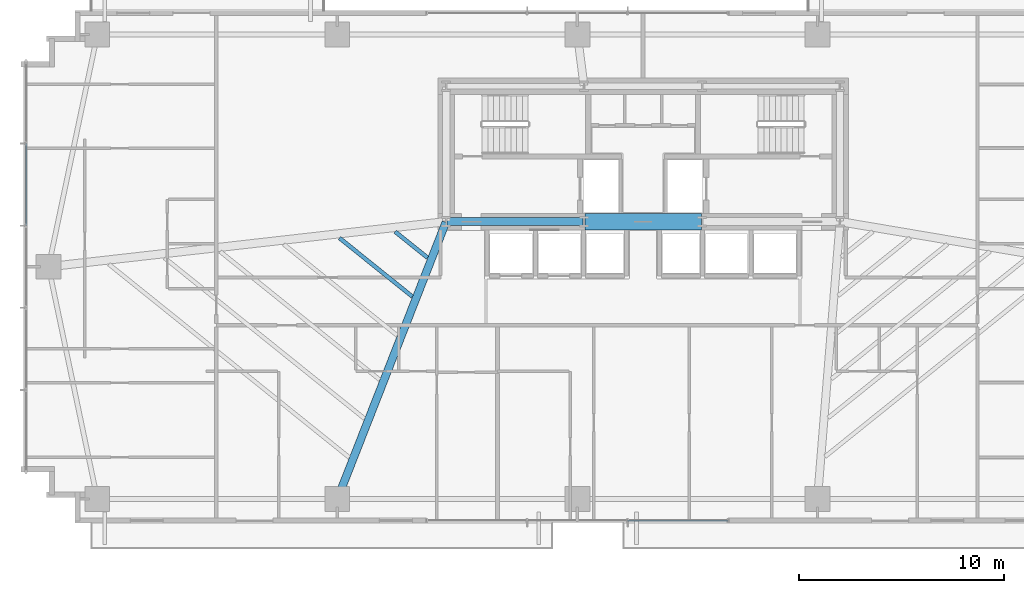
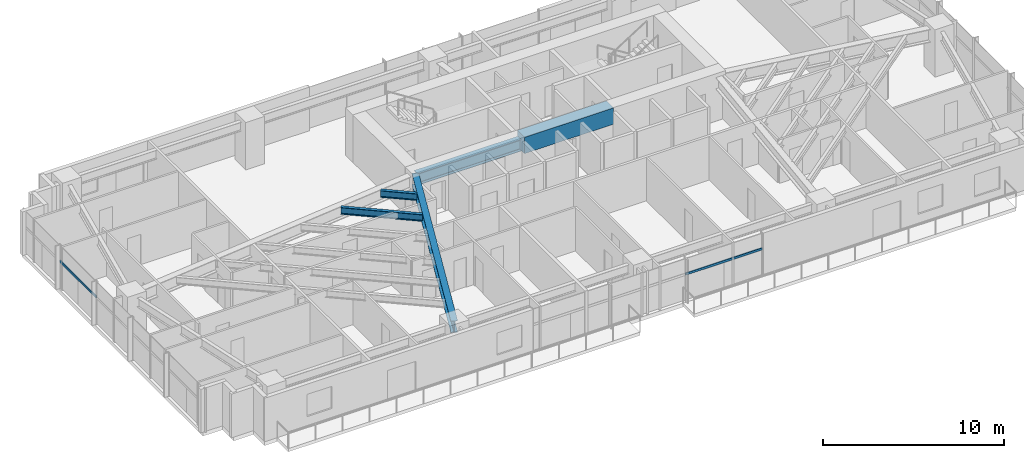
# One storey, part 7 of 25: 5 beams, 2 members, 2 elements without a shape of their own.
"""IFC4 building model written with IfcOpenShell, lengths in metres."""

from ifc_helpers import new_model, si_unit, direction, frame, origin, origin_2d, place, context, subcontext, project, spatial, rectangle, hollow_rectangle, i_section, extrude, source, transform, mapped, material, material_profile, profile_set, type_object, type_shapes, element, aggregate, save


model = new_model("IFC4")

# Units and contexts
model_context = context("Model", 3, precision=1e-05, world=origin(), true_north=direction((0.0, 1.0)))
body_context = subcontext(model_context, "Body", "Model", "MODEL_VIEW")
ifc_project = project(units=[si_unit("LENGTHUNIT", "METRE"), si_unit("AREAUNIT", "SQUARE_METRE"), si_unit("VOLUMEUNIT", "CUBIC_METRE"), si_unit("PLANEANGLEUNIT", "RADIAN"), si_unit("MASSUNIT", "GRAM", prefix="KILO")], contexts=[model_context])

# Site, building, storey
site_placement = place(None, origin())
site = spatial("IfcSite", under=ifc_project, at=site_placement, CompositionType="ELEMENT")
building_placement = place(site_placement, origin())
building = spatial("IfcBuilding", under=site, at=building_placement, Name="Astriad Promenade Condominiums", CompositionType="ELEMENT")
storey_placement = place(building_placement, frame((0.0, 0.0, 29.39990234375)))
storey = spatial("IfcBuildingStorey", under=building, at=storey_placement, Name="L07", CompositionType="ELEMENT", Elevation=29.39990234375)

# Beams
ifc_material_1 = material(Name="Steel ASTM A992 Grade 50", Category="steel")
ifc_material_profile_1 = material_profile(ifc_material_1, i_section(OverallWidth=0.3837890625, OverallDepth=0.785888671875, WebThickness=0.019775390625, FlangeThickness=0.033447265625, FilletRadius=0.021484375, at=origin_2d()), Name="W30X211")
ifc_profile_set_1 = profile_set([ifc_material_profile_1], Name="Steel ASTM A992 Grade 50")
beam_type_1 = type_object("IfcBeamType", Name="STEEL FLOOR GIRDER W30X211", PredefinedType="BEAM", material=ifc_profile_set_1)
shared_shape_1 = source(origin(), body_context, "Body", "SweptSolid", [
    extrude(i_section(OverallWidth=0.3837890625, OverallDepth=0.785888671875, WebThickness=0.019775390625, FlangeThickness=0.033447265625, FilletRadius=0.021484375, at=origin_2d()), origin(), (0.0, 0.0, 1.0), 6.64013671875),
])
beam_1_placement = place(storey_placement, frame((26.43994140625, 17.39990234375, 2.547119140625), z_axis=(1.0, 0.0, 0.0), x_axis=(0.0, 1.0, 0.0)))
element("IfcBeam", 1, at=beam_1_placement, inside=storey, type_object=beam_type_1, Name="Core Ring Beam CG-S1-L07", PredefinedType="BEAM", context=body_context, shape_type="MappedRepresentation", body=[
    mapped(shared_shape_1, transform((0.0, 0.0, 0.0), scale=1.0)),
])
ifc_material_2 = material(Name="Concrete C80/95", Category="concrete")
ifc_material_profile_2 = material_profile(ifc_material_2, rectangle(XDim=0.800048828125, YDim=1.10009765625, at=origin_2d()), Name="RC-BM-800X1100")
ifc_profile_set_2 = profile_set([ifc_material_profile_2], Name="Concrete C80/95")
beam_type_2 = type_object("IfcBeamType", Name="CONCRETE CORE COUPLING LINTEL 800X1100", PredefinedType="LINTEL", material=ifc_profile_set_2)
shared_shape_2 = source(origin(), body_context, "Body", "SweptSolid", [
    extrude(rectangle(XDim=0.800048828125, YDim=1.10009765625, at=origin_2d()), origin(), (0.0, 0.0, 1.0), 5.68017578125),
])
type_shapes(beam_type_2, [shared_shape_2])
beam_2_placement = place(storey_placement, frame((33.159912109375, 17.39990234375, 2.630126953125), z_axis=(1.0, 0.0, 0.0), x_axis=(0.0, 1.0, 0.0)))
element("IfcBeam", 2, at=beam_2_placement, inside=storey, type_object=beam_type_2, Name="Core Ring Beam CG-S2-L07", PredefinedType="LINTEL", context=body_context, shape_type="MappedRepresentation", body=[
    mapped(shared_shape_2, transform((0.0, 0.0, 0.0), scale=1.0)),
])
shared_shape_3 = source(origin(), body_context, "Body", "SweptSolid", [
    extrude(i_section(OverallWidth=0.3837890625, OverallDepth=0.785888671875, WebThickness=0.019775390625, FlangeThickness=0.033447265625, FilletRadius=0.021484375, at=origin_2d()), origin(), (0.0, 0.0, 1.0), 14.44189453125),
])
type_shapes(beam_type_1, [shared_shape_1, shared_shape_3])
beam_3_placement = place(storey_placement, frame((21.114501953125, 3.917236328125, 2.547119140625), z_axis=(0.364981228757, 0.931014877784, 0.0), x_axis=(-0.931014877784, 0.364981228757, 0.0)))
element("IfcBeam", 3, at=beam_3_placement, inside=storey, type_object=beam_type_1, Name="Primary Floor Girder PG-W2-L07", PredefinedType="BEAM", context=body_context, shape_type="MappedRepresentation", body=[
    mapped(shared_shape_3, transform((0.0, 0.0, 0.0), scale=1.0)),
])
ifc_material_profile_3 = material_profile(ifc_material_1, i_section(OverallWidth=0.19287109375, OverallDepth=0.466064453125, WebThickness=0.011474609375, FlangeThickness=0.01904296875, FilletRadius=0.01513671875, at=origin_2d()), Name="W18X65")
ifc_profile_set_3 = profile_set([ifc_material_profile_3], Name="Steel ASTM A992 Grade 50")
beam_type_3 = type_object("IfcBeamType", Name="STEEL FLOOR JOIST W18X65", PredefinedType="JOIST", material=ifc_profile_set_3)
shared_shape_4 = source(origin(), body_context, "Body", "SweptSolid", [
    extrude(i_section(OverallWidth=0.19287109375, OverallDepth=0.466064453125, WebThickness=0.011474609375, FlangeThickness=0.01904296875, FilletRadius=0.01513671875, at=origin_2d()), origin(), (0.0, 0.0, 1.0), 4.555419921875),
])
beam_4_placement = place(storey_placement, frame((21.201416015625, 16.600830078125, 2.70703125), z_axis=(0.779365920634, -0.626569039894, 0.0), x_axis=(0.626569039894, 0.779365920634, 0.0)))
element("IfcBeam", 4, at=beam_4_placement, inside=storey, type_object=beam_type_3, Name="Secondary Composite Floor Joist JW1-5-L07", PredefinedType="JOIST", context=body_context, shape_type="MappedRepresentation", body=[
    mapped(shared_shape_4, transform((0.0, 0.0, 0.0), scale=1.0)),
])
shared_shape_5 = source(origin(), body_context, "Body", "SweptSolid", [
    extrude(i_section(OverallWidth=0.19287109375, OverallDepth=0.466064453125, WebThickness=0.011474609375, FlangeThickness=0.01904296875, FilletRadius=0.01513671875, at=origin_2d()), origin(), (0.0, 0.0, 1.0), 2.02587890625),
])
type_shapes(beam_type_3, [shared_shape_4, shared_shape_5])
beam_5_placement = place(storey_placement, frame((23.914794921875, 16.90869140625, 2.70703125), z_axis=(0.779373362939, -0.626559782576, 0.0), x_axis=(0.626559782576, 0.779373362939, 0.0)))
element("IfcBeam", 5, at=beam_5_placement, inside=storey, type_object=beam_type_3, Name="Secondary Composite Floor Joist JW1-6-L07", PredefinedType="JOIST", context=body_context, shape_type="MappedRepresentation", body=[
    mapped(shared_shape_5, transform((0.0, 0.0, 0.0), scale=1.0)),
])

# Curtain wall, member
ifc_material_3 = material(Name="Anodised aluminium Black Dark Glass Unitised", Category="aluminium")
curtain_wall_type = type_object("IfcCurtainWallType", Name="CW-B1-DARK", PredefinedType="USERDEFINED", material=ifc_material_3)
curtain_wall_1_placement = place(storey_placement, origin())
curtain_wall_1 = element("IfcCurtainWall", 6, at=curtain_wall_1_placement, inside=storey, type_object=curtain_wall_type, Name="CW-L07-W", ObjectType="UNITISED_CURTAIN_WALL", PredefinedType="USERDEFINED")
ifc_material_4 = material(Name="Anodised aluminium 6063-T6 Black", Category="aluminium")
ifc_material_profile_4 = material_profile(ifc_material_4, hollow_rectangle(XDim=0.074951171875, YDim=0.14990234375, WallThickness=0.004150390625, at=origin_2d()), Name="ALU-TRN-75X150")
ifc_profile_set_4 = profile_set([ifc_material_profile_4], Name="Anodised aluminium 6063-T6 Black")
member_type = type_object("IfcMemberType", Name="TRN-ALU-TRN-75X150", PredefinedType="USERDEFINED", material=ifc_profile_set_4)
shared_shape_6 = source(origin(), body_context, "Body", "SweptSolid", [
    extrude(hollow_rectangle(XDim=0.074951171875, YDim=0.14990234375, WallThickness=0.004150390625, at=origin_2d()), origin(), (0.0, 0.0, 1.0), 4.0),
])
member_1_placement = place(storey_placement, frame((5.929931640625, 17.199951171875, 1.822998046875), z_axis=(0.0, 1.0, 0.0), x_axis=(-1.0, 0.0, 0.0)))
member_1 = element("IfcMember", 7, at=member_1_placement, type_object=member_type, Name="CW-L07-W-TRN-03-0", ObjectType="TRANSOM", PredefinedType="USERDEFINED", context=body_context, shape_type="MappedRepresentation", body=[
    mapped(shared_shape_6, transform((0.0, 0.0, 0.0), scale=1.0)),
])
aggregate(curtain_wall_1, [member_1])

curtain_wall_2_placement = place(storey_placement, origin())
curtain_wall_2 = element("IfcCurtainWall", 8, at=curtain_wall_2_placement, inside=storey, type_object=curtain_wall_type, Name="CW-L07-S", ObjectType="UNITISED_CURTAIN_WALL", PredefinedType="USERDEFINED")
shared_shape_7 = source(origin(), body_context, "Body", "SweptSolid", [
    extrude(hollow_rectangle(XDim=0.074951171875, YDim=0.14990234375, WallThickness=0.004150390625, at=origin_2d()), origin(), (0.0, 0.0, 1.0), 4.89990234375),
])
type_shapes(member_type, [shared_shape_6, shared_shape_7])
member_2_placement = place(storey_placement, frame((40.14990234375, 2.830078125, 1.822998046875), z_axis=(-1.0, 0.0, 0.0), x_axis=(0.0, -1.0, 0.0)))
member_2 = element("IfcMember", 9, at=member_2_placement, type_object=member_type, Name="CW-L07-S-TRN-00-0", ObjectType="TRANSOM", PredefinedType="USERDEFINED", context=body_context, shape_type="MappedRepresentation", body=[
    mapped(shared_shape_7, transform((0.0, 0.0, 0.0), scale=1.0)),
])
aggregate(curtain_wall_2, [member_2])

save(model, "model.ifc")
